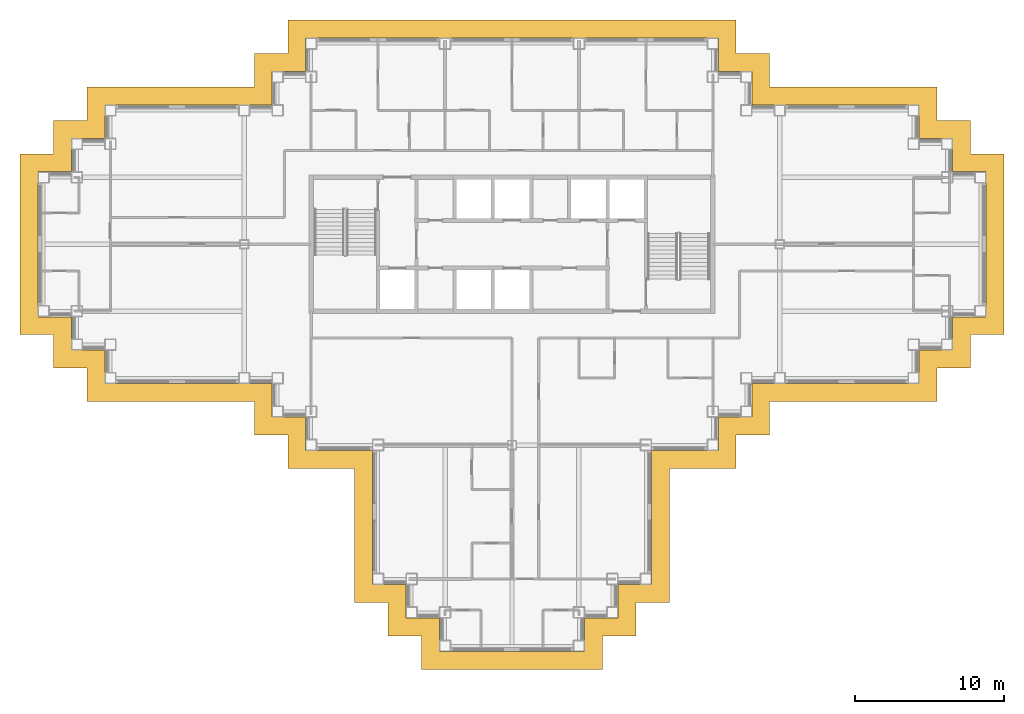
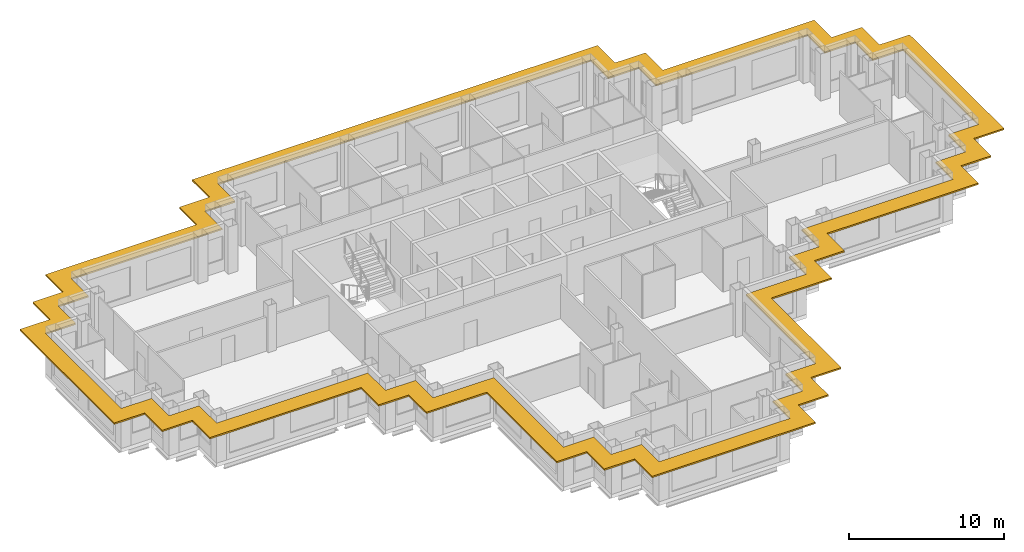
# One storey, part 12 of 13: 1 shading device.
"""IFC4 building model written with IfcOpenShell, lengths in metres."""

from ifc_helpers import new_model, si_unit, direction, frame, origin, place, context, subcontext, project, spatial, polyline, outline, extrude, material, layer, layer_set, type_object, element, save


model = new_model("IFC4")

# Units and contexts
model_context = context("Model", 3, precision=1e-05, world=origin(), true_north=direction((0.0, 1.0)))
body_context = subcontext(model_context, "Body", "Model", "MODEL_VIEW")
ifc_project = project(units=[si_unit("LENGTHUNIT", "METRE"), si_unit("AREAUNIT", "SQUARE_METRE"), si_unit("VOLUMEUNIT", "CUBIC_METRE"), si_unit("PLANEANGLEUNIT", "RADIAN"), si_unit("MASSUNIT", "GRAM", prefix="KILO")], contexts=[model_context])

# Site, building, storey
site_placement = place(None, origin())
site = spatial("IfcSite", under=ifc_project, at=site_placement, CompositionType="ELEMENT")
building_placement = place(site_placement, origin())
building = spatial("IfcBuilding", under=site, at=building_placement, Name="Caravel Reach Hotel and Residences", CompositionType="ELEMENT")
storey_placement = place(building_placement, frame((0.0, 0.0, 169.10009765625)))
storey = spatial("IfcBuildingStorey", under=building, at=storey_placement, Name="L42", CompositionType="ELEMENT", Elevation=169.10009765625)

# Shading device
ifc_material = material(Name="Black powder-coated aluminium", Category="aluminium")
ifc_layer = layer(ifc_material, 0.1201171875)
ifc_layer_set = layer_set([ifc_layer], Name="SS1 Sunshade band 1200")
shading_device_type = type_object("IfcShadingDeviceType", Name="SS1 Sunshade band 1200", PredefinedType="USERDEFINED", material=ifc_layer_set)
shading_device_placement = place(storey_placement, frame((0.0, 0.0, 3.039794921875)))
element("IfcShadingDevice", 1, at=shading_device_placement, inside=storey, type_object=shading_device_type, Name="Sunshade L42 1", ObjectType="SUNSHADE", PredefinedType="USERDEFINED", context=body_context, shape_type="SweptSolid", body=[
    extrude(outline(polyline([(20.925048828125, 11.925048828125), (20.925048828125, 2.925048828125), (23.175048828125, 2.925048828125), (23.175048828125, 0.675048828125), (25.425048828125, 0.675048828125), (25.425048828125, -1.574951171875), (37.574951171875, -1.574951171875), (37.574951171875, 0.675048828125), (39.824951171875, 0.675048828125), (39.824951171875, 2.925048828125), (42.074951171875, 2.925048828125), (42.074951171875, 11.925048828125), (46.574951171875, 11.925048828125), (46.574951171875, 14.175048828125), (48.824951171875, 14.175048828125), (48.824951171875, 16.425048828125), (60.074951171875, 16.425048828125), (60.074951171875, 18.675048828125), (62.324951171875, 18.675048828125), (62.324951171875, 20.925048828125), (64.574951171875, 20.925048828125), (64.574951171875, 33.074951171875), (62.324951171875, 33.074951171875), (62.324951171875, 35.324951171875), (60.074951171875, 35.324951171875), (60.074951171875, 37.574951171875), (48.824951171875, 37.574951171875), (48.824951171875, 39.824951171875), (46.574951171875, 39.824951171875), (46.574951171875, 42.074951171875), (16.425048828125, 42.074951171875), (16.425048828125, 39.824951171875), (14.175048828125, 39.824951171875), (14.175048828125, 37.574951171875), (2.925048828125, 37.574951171875), (2.925048828125, 35.324951171875), (0.675048828125, 35.324951171875), (0.675048828125, 33.074951171875), (-1.574951171875, 33.074951171875), (-1.574951171875, 20.925048828125), (0.675048828125, 20.925048828125), (0.675048828125, 18.675048828125), (2.925048828125, 18.675048828125), (2.925048828125, 16.425048828125), (14.175048828125, 16.425048828125), (14.175048828125, 14.175048828125), (16.425048828125, 14.175048828125), (16.425048828125, 11.925048828125), (20.925048828125, 11.925048828125)]), holes=[polyline([(24.375, 4.125), (22.125, 4.125), (22.125, 13.125), (17.625, 13.125), (17.625, 15.375), (15.375, 15.375), (15.375, 17.625), (4.125, 17.625), (4.125, 19.875), (1.875, 19.875), (1.875, 22.125), (-0.375, 22.125), (-0.375, 31.875), (1.875, 31.875), (1.875, 34.125), (4.125, 34.125), (4.125, 36.375), (15.375, 36.375), (15.375, 38.625), (17.625, 38.625), (17.625, 40.875), (45.375, 40.875), (45.375, 38.625), (47.625, 38.625), (47.625, 36.375), (58.875, 36.375), (58.875, 34.125), (61.125, 34.125), (61.125, 31.875), (63.375, 31.875), (63.375, 22.125), (61.125, 22.125), (61.125, 19.875), (58.875, 19.875), (58.875, 17.625), (47.625, 17.625), (47.625, 15.375), (45.375, 15.375), (45.375, 13.125), (40.875, 13.125), (40.875, 4.125), (38.625, 4.125), (38.625, 1.875), (36.375, 1.875), (36.375, -0.375), (26.625, -0.375), (26.625, 1.875), (24.375, 1.875), (24.375, 4.125)])]), origin(), (0.0, 0.0, 1.0), 0.1201171875),
])

save(model, "model.ifc")
